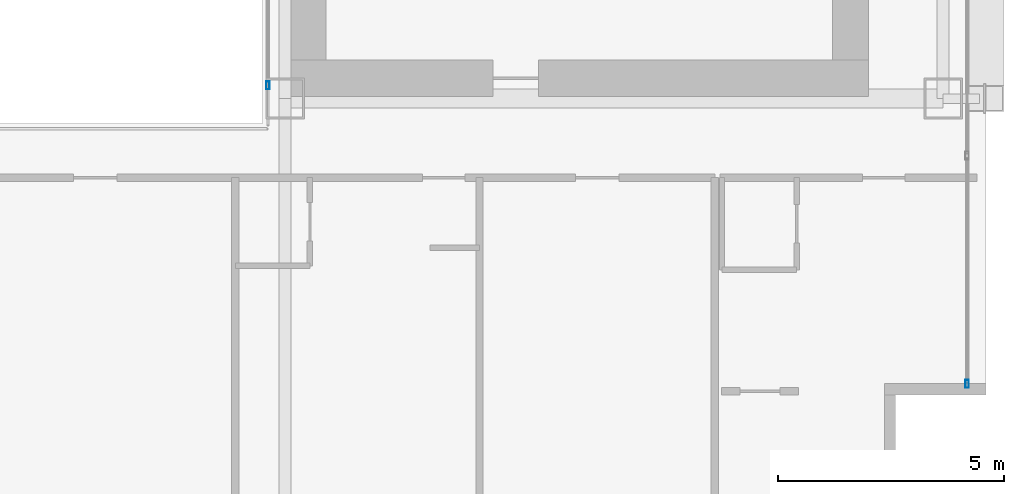
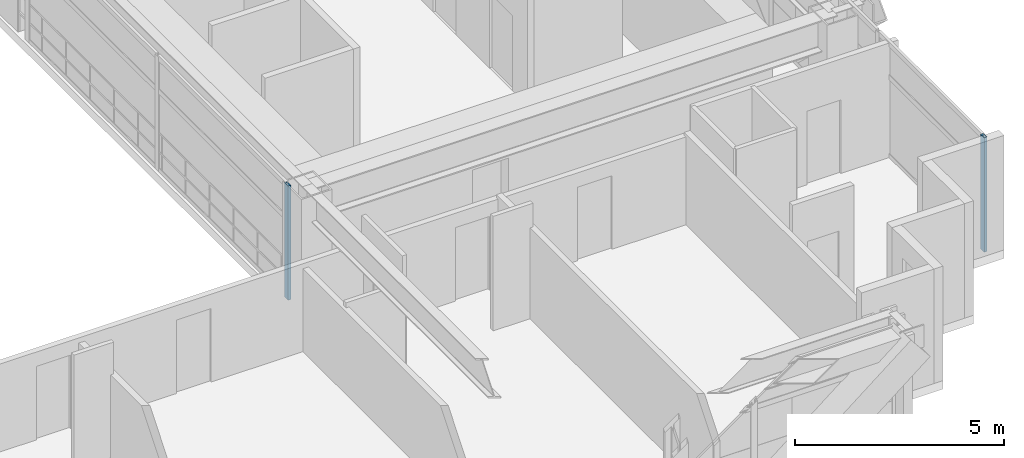
# One storey, part 12 of 41: 2 members, 2 elements without a shape of their own.
"""IFC4 building model written with IfcOpenShell, lengths in metres."""

from ifc_helpers import new_model, si_unit, direction, frame, origin, origin_2d, place, context, subcontext, project, spatial, hollow_rectangle, extrude, source, transform, mapped, material, layer, layer_set, material_profile, profile_set, type_object, element, aggregate, save


model = new_model("IFC4")

# Units and contexts
model_context = context("Model", 3, precision=1e-05, world=origin(), true_north=direction((0.0, 1.0)))
body_context = subcontext(model_context, "Body", "Model", "MODEL_VIEW")
ifc_project = project(units=[si_unit("LENGTHUNIT", "METRE"), si_unit("AREAUNIT", "SQUARE_METRE"), si_unit("VOLUMEUNIT", "CUBIC_METRE"), si_unit("PLANEANGLEUNIT", "RADIAN"), si_unit("MASSUNIT", "GRAM", prefix="KILO")], contexts=[model_context])

# Site, building, storey
site_placement = place(None, origin())
site = spatial("IfcSite", under=ifc_project, at=site_placement, CompositionType="ELEMENT")
building_placement = place(site_placement, origin())
building = spatial("IfcBuilding", under=site, at=building_placement, Name="Ocotamira Hotel", CompositionType="ELEMENT")
storey_placement = place(building_placement, frame((0.0, 0.0, 52.800048828125)))
storey = spatial("IfcBuildingStorey", under=building, at=storey_placement, Name="L12", CompositionType="ELEMENT", Elevation=52.800048828125)

# Curtain wall, member
ifc_material_1 = material(Name="Anodised pale-metal aluminium and solar glass", Category="aluminium")
ifc_layer_1 = layer(ifc_material_1, 0.179931640625)
ifc_layer_set_1 = layer_set([ifc_layer_1], Name="Anodised pale-metal aluminium and solar glass")
curtain_wall_type_1 = type_object("IfcCurtainWallType", Name="CW-SYS2-Z1", PredefinedType="NOTDEFINED", material=ifc_layer_set_1)
curtain_wall_1_placement = place(storey_placement, origin())
curtain_wall_1 = element("IfcCurtainWall", 1, at=curtain_wall_1_placement, inside=storey, type_object=curtain_wall_type_1, Name="L12 Curtain Wall CW-2 CW-L12-E", PredefinedType="NOTDEFINED")
ifc_material_2 = material(Name="Anodised pale-metal aluminium 6063-T6", Category="aluminium")
ifc_material_profile = material_profile(ifc_material_2, hollow_rectangle(XDim=0.080078125, YDim=0.179931640625, WallThickness=0.006103515625, at=origin_2d()), Name="HSS180X80X6")
ifc_profile_set = profile_set([ifc_material_profile], Name="Anodised pale-metal aluminium 6063-T6")
member_type = type_object("IfcMemberType", Name="CWM-180X75", PredefinedType="MULLION", material=ifc_profile_set)
shared_shape = source(origin(), body_context, "Body", "SweptSolid", [
    extrude(hollow_rectangle(XDim=0.080078125, YDim=0.179931640625, WallThickness=0.006103515625, at=origin_2d()), origin(), (0.0, 0.0, 1.0), 3.349853515625),
])
member_1_placement = place(storey_placement, frame((55.580078125, 8.239990234375, 0.0), z_axis=(0.0, 0.0, 1.0), x_axis=(-1.0, 0.0, 0.0)))
member_1 = element("IfcMember", 2, at=member_1_placement, type_object=member_type, Name="CW-2 mullion 1", PredefinedType="MULLION", context=body_context, shape_type="MappedRepresentation", body=[
    mapped(shared_shape, transform((0.0, 0.0, 0.0), scale=1.0)),
])
aggregate(curtain_wall_1, [member_1])

ifc_layer_2 = layer(ifc_material_1, 0.159912109375)
ifc_layer_set_2 = layer_set([ifc_layer_2], Name="Anodised pale-metal aluminium and solar glass")
curtain_wall_type_2 = type_object("IfcCurtainWallType", Name="CW-SYS6-ATR", PredefinedType="NOTDEFINED", material=ifc_layer_set_2)
curtain_wall_2_placement = place(storey_placement, origin())
curtain_wall_2 = element("IfcCurtainWall", 3, at=curtain_wall_2_placement, inside=storey, type_object=curtain_wall_type_2, Name="L12 Curtain Wall CW-6 CW-L12-ATRE1", PredefinedType="NOTDEFINED")
member_2_placement = place(storey_placement, frame((40.1201171875, 14.840087890625, 0.0), z_axis=(0.0, 0.0, 1.0), x_axis=(-1.0, 0.0, 0.0)))
member_2 = element("IfcMember", 4, at=member_2_placement, type_object=member_type, Name="CW-6 mullion 1", PredefinedType="MULLION", context=body_context, shape_type="MappedRepresentation", body=[
    mapped(shared_shape, transform((0.0, 0.0, 0.0), scale=1.0)),
])
aggregate(curtain_wall_2, [member_2])

save(model, "model.ifc")
